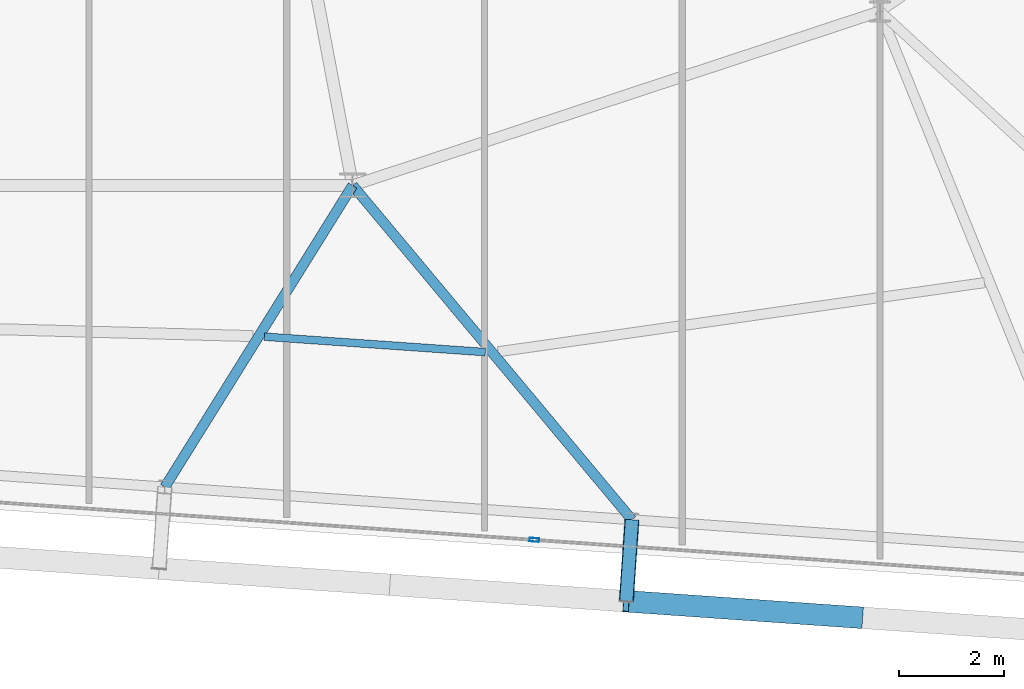
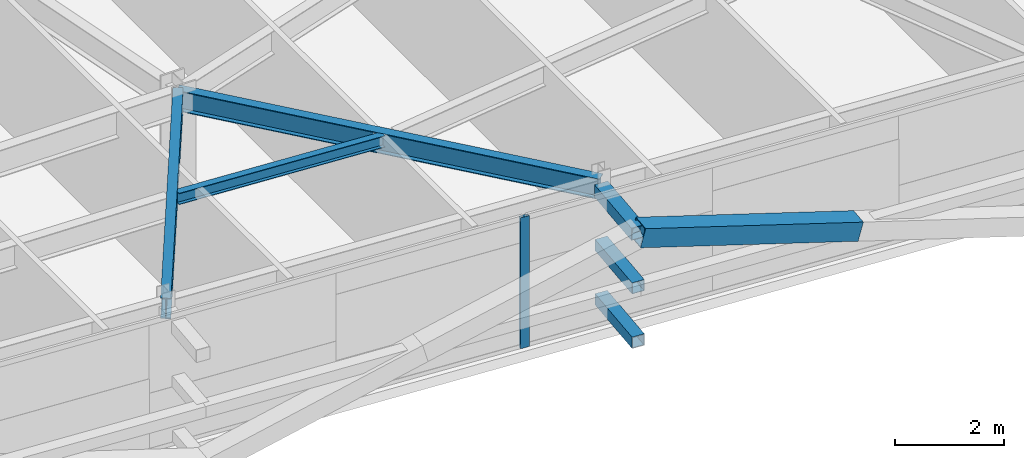
# One storey, part 13 of 39: 5 members, 3 beams, 1 element without a shape of its own.
"""IFC4 building model written with IfcOpenShell, lengths in metres."""

from ifc_helpers import new_model, si_unit, direction, frame, origin, origin_2d, place, context, subcontext, project, spatial, hollow_rectangle, i_section, extrude, source, transform, mapped, material, layer, layer_set, material_profile, profile_set, type_object, element, aggregate, save


model = new_model("IFC4")

# Units and contexts
model_context = context("Model", 3, precision=1e-05, world=origin(), true_north=direction((0.0, 1.0)))
body_context = subcontext(model_context, "Body", "Model", "MODEL_VIEW")
ifc_project = project(units=[si_unit("LENGTHUNIT", "METRE"), si_unit("AREAUNIT", "SQUARE_METRE"), si_unit("VOLUMEUNIT", "CUBIC_METRE"), si_unit("PLANEANGLEUNIT", "RADIAN"), si_unit("MASSUNIT", "GRAM", prefix="KILO")], contexts=[model_context])

# Site, building, storey
site_placement = place(None, origin())
site = spatial("IfcSite", under=ifc_project, at=site_placement, CompositionType="ELEMENT")
building_placement = place(site_placement, origin())
building = spatial("IfcBuilding", under=site, at=building_placement, Name="Taldren Reach Tower", CompositionType="ELEMENT")
storey_placement = place(building_placement, frame((0.0, 0.0, 136.14990234375)))
storey = spatial("IfcBuildingStorey", under=building, at=storey_placement, Name="L41", CompositionType="ELEMENT", Elevation=136.14990234375)

# Members
ifc_material_1 = material(Name="Steel Gr 450 (C450L0)", Category="steel")
ifc_material_profile_1 = material_profile(ifc_material_1, hollow_rectangle(XDim=0.27490234375, YDim=0.27490234375, WallThickness=0.00927734375, at=origin_2d()), Name="275x275x9.3SHS")
ifc_profile_set_1 = profile_set([ifc_material_profile_1], Name="Steel Gr 450 (C450L0)")
member_type_1 = type_object("IfcMemberType", Name="MB-TIE273", PredefinedType="STRUT", material=ifc_profile_set_1)
shared_shape_1 = source(origin(), body_context, "Body", "SweptSolid", [
    extrude(hollow_rectangle(XDim=0.27490234375, YDim=0.27490234375, WallThickness=0.00927734375, at=origin_2d()), origin(), (0.0, 0.0, 1.0), 1.5498046875),
])
member_1_placement = place(storey_placement, frame((47.297119140625, 2.860595703125, 2.650146484375), z_axis=(-0.069780535098, -0.997562367434, 0.0), x_axis=(0.997562367434, -0.069780535098, 0.0)))
element("IfcMember", 1, at=member_1_placement, inside=storey, type_object=member_type_1, Name="Exoskeleton diaphragm tie strut B3-S5 L41", PredefinedType="STRUT", context=body_context, shape_type="MappedRepresentation", body=[
    mapped(shared_shape_1, transform((0.0, 0.0, 0.0), scale=1.0)),
])
ifc_material_2 = material(Name="Steel Gr 350 (C350L0)", Category="steel")
ifc_material_profile_2 = material_profile(ifc_material_2, hollow_rectangle(XDim=0.25, YDim=0.25, WallThickness=0.010009765625, at=origin_2d()), Name="250x250x10.0SHS")
ifc_profile_set_2 = profile_set([ifc_material_profile_2], Name="Steel Gr 350 (C350L0)")
member_type_2 = type_object("IfcMemberType", Name="MB-POST250", PredefinedType="POST", material=ifc_profile_set_2)
shared_shape_2 = source(origin(), body_context, "Body", "SweptSolid", [
    extrude(hollow_rectangle(XDim=0.25, YDim=0.25, WallThickness=0.010009765625, at=origin_2d()), origin(), (0.0, 0.0, 1.0), 1.5498046875),
])
for number, where, z_axis, x_axis, name in (
    (2, (47.297119140625, 2.860595703125, 0.22021484375), (-0.069780535098, -0.997562367434, 0.0), (0.997562367434, -0.069780535098, 0.0), "Exoskeleton base diaphragm tie strut B3-S5 L41"),
    (3, (47.297119140625, 2.860595703125, 1.43505859375), (-0.069780535098, -0.997562367434, 0.0), (0.997562367434, -0.069780535098, 0.0), "Exoskeleton mid-tier diaphragm tie B3-S5 L41"),
):
    element("IfcMember", number, at=place(storey_placement, frame(where, z_axis=z_axis, x_axis=x_axis)), inside=storey, type_object=member_type_2, Name=name, PredefinedType="POST", context=body_context, shape_type="MappedRepresentation", body=[
        mapped(shared_shape_2, transform((0.0, 0.0, 0.0), scale=1.0)),
    ])

# Beams
ifc_material_3 = material(Name="Steel Gr 350 (350PLUS)", Category="steel")
ifc_material_profile_3 = material_profile(ifc_material_3, i_section(OverallWidth=0.19091796875, OverallDepth=0.4599609375, WebThickness=0.010009765625, FlangeThickness=0.01611328125, at=origin_2d()), Name="460UB82.1")
ifc_profile_set_3 = profile_set([ifc_material_profile_3], Name="Steel Gr 350 (350PLUS)")
beam_type_1 = type_object("IfcBeamType", Name="BM-UB460A", PredefinedType="BEAM", material=ifc_profile_set_3)
shared_shape_3 = source(origin(), body_context, "Body", "SweptSolid", [
    extrude(i_section(OverallWidth=0.19091796875, OverallDepth=0.4599609375, WebThickness=0.010009765625, FlangeThickness=0.01611328125, at=origin_2d()), origin(), (0.0, 0.0, 1.0), 6.73779296875),
])
beam_1_placement = place(storey_placement, frame((42.0, 9.199951171875, 2.7001953125), z_axis=(-0.528552048024, -0.848900896765, 0.0), x_axis=(0.848900896765, -0.528552048024, 0.0)))
element("IfcBeam", 4, at=beam_1_placement, inside=storey, type_object=beam_type_1, Name="Primary floor girder B3-S4 L41", PredefinedType="BEAM", context=body_context, shape_type="MappedRepresentation", body=[
    mapped(shared_shape_3, transform((0.0, 0.0, 0.0), scale=1.0)),
])
shared_shape_4 = source(origin(), body_context, "Body", "SweptSolid", [
    extrude(i_section(OverallWidth=0.19091796875, OverallDepth=0.4599609375, WebThickness=0.010009765625, FlangeThickness=0.01611328125, at=origin_2d()), origin(), (0.0, 0.0, 1.0), 8.26123046875),
])
beam_2_placement = place(storey_placement, frame((42.0, 9.199951171875, 2.7001953125), z_axis=(0.64120703686, -0.767367927322, 0.0), x_axis=(0.767367927322, 0.64120703686, 0.0)))
element("IfcBeam", 5, at=beam_2_placement, inside=storey, type_object=beam_type_1, Name="Primary floor girder B3-S5 L41", PredefinedType="BEAM", context=body_context, shape_type="MappedRepresentation", body=[
    mapped(shared_shape_4, transform((0.0, 0.0, 0.0), scale=1.0)),
])
ifc_material_4 = material(Name="Steel Gr 300 (300PLUS, 300 MPa)", Category="steel")
ifc_material_profile_4 = material_profile(ifc_material_4, i_section(OverallWidth=0.14599609375, OverallDepth=0.256103515625, WebThickness=0.00634765625, FlangeThickness=0.010986328125, at=origin_2d()), Name="250UB37.3")
ifc_profile_set_4 = profile_set([ifc_material_profile_4], Name="Steel Gr 300 (300PLUS, 300 MPa)")
beam_type_2 = type_object("IfcBeamType", Name="JS-UB250", PredefinedType="JOIST", material=ifc_profile_set_4)
shared_shape_5 = source(origin(), body_context, "Body", "SweptSolid", [
    extrude(i_section(OverallWidth=0.14599609375, OverallDepth=0.256103515625, WebThickness=0.00634765625, FlangeThickness=0.010986328125, at=origin_2d()), origin(), (0.0, 0.0, 1.0), 4.199462890625),
])
beam_3_placement = place(storey_placement, frame((40.3271484375, 6.33251953125, 2.802001953125), z_axis=(0.99756354117, -0.069763753681, 0.0), x_axis=(0.069763753681, 0.99756354117, 0.0)))
element("IfcBeam", 6, at=beam_3_placement, inside=storey, type_object=beam_type_2, Name="Secondary floor joist B3 J4 L41", PredefinedType="JOIST", context=body_context, shape_type="MappedRepresentation", body=[
    mapped(shared_shape_5, transform((0.0, 0.0, 0.0), scale=1.0)),
])

# Member
ifc_material_profile_5 = material_profile(ifc_material_1, hollow_rectangle(XDim=0.409912109375, YDim=0.409912109375, WallThickness=0.01611328125, at=origin_2d()), Name="410x410x16.0SHS")
ifc_profile_set_5 = profile_set([ifc_material_profile_5], Name="Steel Gr 450 (C450L0)")
member_type_3 = type_object("IfcMemberType", Name="MB-EXO406", PredefinedType="BRACE", material=ifc_profile_set_5)
shared_shape_6 = source(origin(), body_context, "Body", "SweptSolid", [
    extrude(hollow_rectangle(XDim=0.409912109375, YDim=0.409912109375, WallThickness=0.01611328125, at=origin_2d()), origin(), (0.0, 0.0, 1.0), 4.603271484375),
])
member_2_placement = place(storey_placement, frame((51.6181640625, 1.004638671875, 1.43505859375), z_axis=(-0.962182351074, 0.067302910567, 0.263961060594), x_axis=(-0.06977769246, -0.997562566276, 0.0)))
element("IfcMember", 7, at=member_2_placement, inside=storey, type_object=member_type_3, Name="Exoskeleton Diagrid Brace B3-S5 L41", PredefinedType="BRACE", context=body_context, shape_type="MappedRepresentation", body=[
    mapped(shared_shape_6, transform((0.0, 0.0, 0.0), scale=1.0)),
])

# Curtain wall, member
ifc_material_5 = material(Name="Aluminium and Low-E Glass Unitised System", Category="aluminium")
ifc_layer = layer(ifc_material_5, 0.159912109375)
ifc_layer_set = layer_set([ifc_layer], Name="Aluminium and Low-E Glass Unitised System")
curtain_wall_type = type_object("IfcCurtainWallType", Name="CW-SYS-4", PredefinedType="NOTDEFINED", material=ifc_layer_set)
curtain_wall_placement = place(storey_placement, origin())
curtain_wall = element("IfcCurtainWall", 8, at=curtain_wall_placement, inside=storey, type_object=curtain_wall_type, Name="Unitised curtain wall CW-L41-S", PredefinedType="NOTDEFINED")
ifc_material_6 = material(Name="Anodised Aluminium 6063-T6", Category="aluminium")
ifc_material_profile_6 = material_profile(ifc_material_6, hollow_rectangle(XDim=0.070068359375, YDim=0.179931640625, WallThickness=0.00390625, at=origin_2d()), Name="ALU-180x70x4RHS")
ifc_profile_set_6 = profile_set([ifc_material_profile_6], Name="Anodised Aluminium 6063-T6")
member_type_4 = type_object("IfcMemberType", Name="CW-MUL-180", PredefinedType="MULLION", material=ifc_profile_set_6)
shared_shape_7 = source(origin(), body_context, "Body", "SweptSolid", [
    extrude(hollow_rectangle(XDim=0.070068359375, YDim=0.179931640625, WallThickness=0.00390625, at=origin_2d()), origin(), (0.0, 0.0, 1.0), 2.93017578125),
])
member_3_placement = place(storey_placement, frame((45.44580078125, 2.478759765625, 0.0), z_axis=(0.0, 0.0, 1.0), x_axis=(0.06975651593, 0.99756404731, 0.0)))
member_3 = element("IfcMember", 9, at=member_3_placement, type_object=member_type_4, Name="CW-4 mullion 4", PredefinedType="MULLION", context=body_context, shape_type="MappedRepresentation", body=[
    mapped(shared_shape_7, transform((0.0, 0.0, 0.0), scale=1.0)),
])
aggregate(curtain_wall, [member_3])

save(model, "model.ifc")
